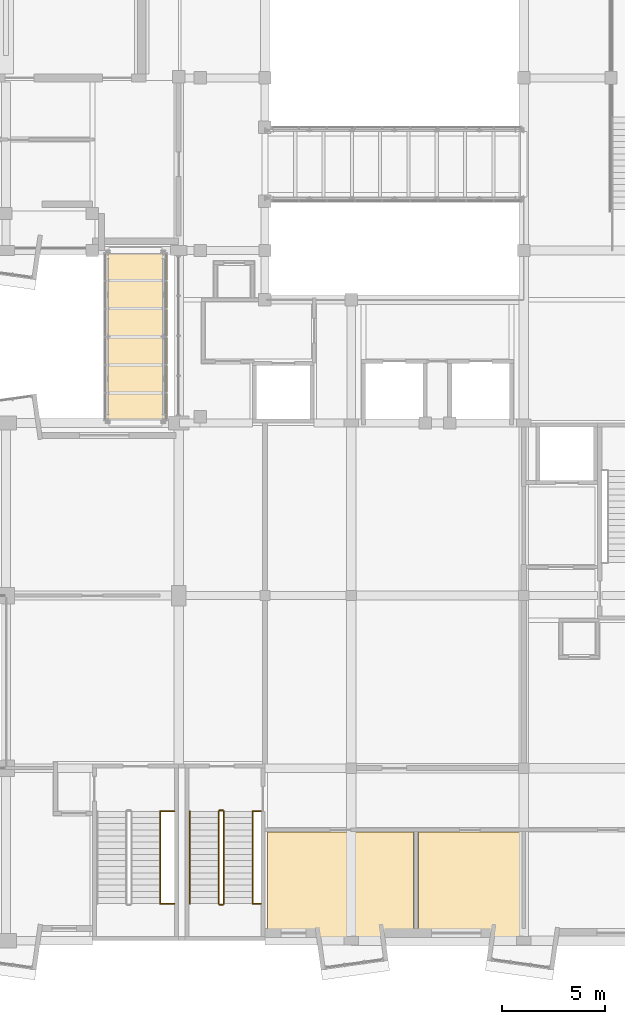
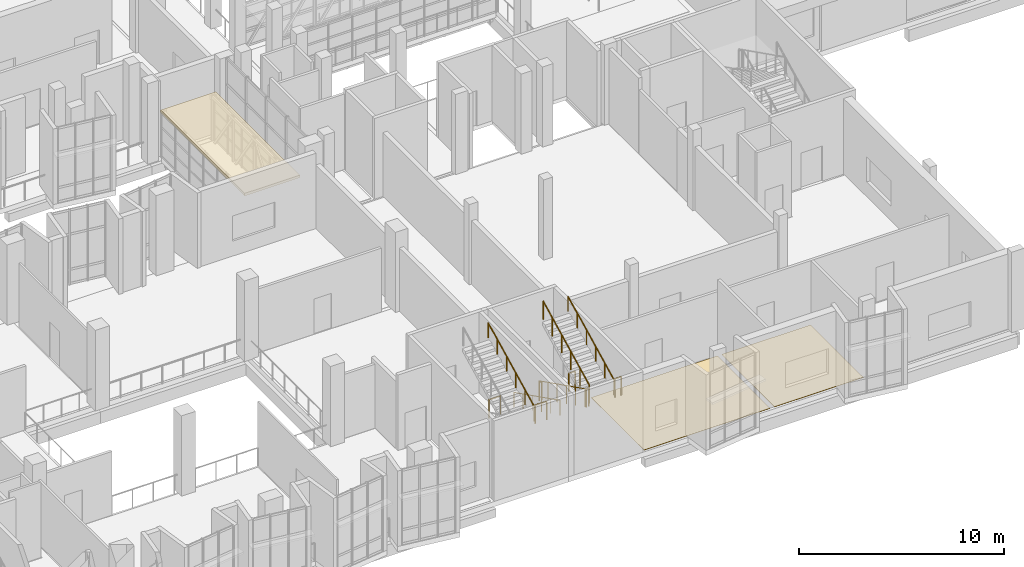
# One storey, part 69 of 86: 11 railings, 3 coverings.
"""IFC4 building model written with IfcOpenShell, lengths in metres."""

from ifc_helpers import new_model, si_unit, direction, frame, origin, origin_2d, place, context, subcontext, project, spatial, polyline, circle, outline, extrude, material, layer, layer_set, type_object, element, save


model = new_model("IFC4")

# Units and contexts
model_context = context("Model", 3, precision=1e-05, world=origin(), true_north=direction((0.0, 1.0)))
body_context = subcontext(model_context, "Body", "Model", "MODEL_VIEW")
ifc_project = project(units=[si_unit("LENGTHUNIT", "METRE"), si_unit("AREAUNIT", "SQUARE_METRE"), si_unit("VOLUMEUNIT", "CUBIC_METRE"), si_unit("PLANEANGLEUNIT", "RADIAN"), si_unit("MASSUNIT", "GRAM", prefix="KILO")], contexts=[model_context])

# Site, building, storey
site_placement = place(None, origin())
site = spatial("IfcSite", under=ifc_project, at=site_placement, CompositionType="ELEMENT")
building_placement = place(site_placement, origin())
building = spatial("IfcBuilding", under=site, at=building_placement, Name="Kiln Court Media Centre", CompositionType="ELEMENT")
storey_placement = place(building_placement, frame((0.0, 0.0, 10.199951171875)))
storey = spatial("IfcBuildingStorey", under=building, at=storey_placement, Name="L02", CompositionType="ELEMENT", Elevation=10.199951171875)

# Coverings
ifc_material_1 = material(Name="Carpet tile")
ifc_layer_1 = layer(ifc_material_1, 0.014892578125)
ifc_layer_set_1 = layer_set([ifc_layer_1], Name="Carpet tile floor finish 15")
covering_type_1 = type_object("IfcCoveringType", Name="Carpet tile floor finish 15", PredefinedType="FLOORING", material=ifc_layer_set_1)
covering_1_placement = place(storey_placement, origin())
element("IfcCovering", 1, at=covering_1_placement, inside=storey, type_object=covering_type_1, Name="Editing Suite 22 floor finish", PredefinedType="FLOORING", context=body_context, shape_type="SweptSolid", body=[
    extrude(outline(polyline([(37.919921875, 0.1201171875), (45.030029296875, 0.1201171875), (45.030029296875, 5.280029296875), (37.919921875, 5.280029296875), (37.919921875, 0.1201171875)])), origin(), (0.0, 0.0, 1.0), 0.01513671875),
])
covering_2_placement = place(storey_placement, origin())
element("IfcCovering", 2, at=covering_2_placement, inside=storey, type_object=covering_type_1, Name="Editing Suite 23 floor finish", PredefinedType="FLOORING", context=body_context, shape_type="SweptSolid", body=[
    extrude(outline(polyline([(45.27001953125, 0.1201171875), (50.280029296875, 0.1201171875), (50.280029296875, 5.280029296875), (45.27001953125, 5.280029296875), (45.27001953125, 0.1201171875)])), origin(), (0.0, 0.0, 1.0), 0.01513671875),
])
ifc_material_2 = material(Name="Steel ASTM A572 Gr 50 with insulated core", Category="steel")
ifc_layer_2 = layer(ifc_material_2, 0.14990234375)
ifc_layer_set_2 = layer_set([ifc_layer_2], Name="Insulated steel sandwich bridge roof 150")
covering_type_2 = type_object("IfcCoveringType", Name="Insulated steel sandwich bridge roof 150", PredefinedType="ROOFING", material=ifc_layer_set_2)
covering_3_placement = place(storey_placement, frame((0.0, 0.0, 2.675048828125)))
element("IfcCovering", 3, at=covering_3_placement, inside=storey, type_object=covering_type_2, Name="BR-1 roof", PredefinedType="ROOFING", context=body_context, shape_type="SweptSolid", body=[
    extrude(outline(polyline([(29.945068359375, 25.300048828125), (33.054931640625, 25.300048828125), (33.054931640625, 33.5), (29.945068359375, 33.5), (29.945068359375, 25.300048828125)])), origin(), (0.0, 0.0, 1.0), 0.14990234375),
])

# Railings
ifc_material_3 = material(Name="Steel S275", Category="steel")
railing_type_1 = type_object("IfcRailingType", Name="Steel S275 stair guard 1100", PredefinedType="GUARDRAIL", material=ifc_material_3)
for number, where, name in (
    (4, (32.75, 1.800048828125, 2.400146484375), "ST-03 landing edge guard"),
    (5, (32.75, 6.300048828125, 0.0), "ST-03 landing edge guard"),
):
    element("IfcRailing", number, at=place(storey_placement, frame(where)), inside=storey, type_object=railing_type_1, Name=name, PredefinedType="GUARDRAIL", context=body_context, shape_type="SweptSolid", body=[
        extrude(circle(Radius=0.02392578125, at=origin_2d()), frame((0.0, 0.0, 1.076171875), z_axis=(1.0, 0.0, 0.0), x_axis=(0.0, 1.0, 0.0)), (0.0, 0.0, 1.0), 0.64990234375),
        extrude(circle(Radius=0.02099609375, at=origin_2d()), origin(), (0.0, 0.0, 1.0), 1.052001953125),
        extrude(circle(Radius=0.02099609375, at=origin_2d()), frame((0.64990234375, 0.0, 0.0)), (0.0, 0.0, 1.0), 1.052001953125),
    ])
railing_1_placement = place(storey_placement, frame((35.550048828125, 6.300048828125, 0.150146484375)))
element("IfcRailing", 6, at=railing_1_placement, inside=storey, type_object=railing_type_1, Name="ST-04 stair guard", PredefinedType="GUARDRAIL", context=body_context, shape_type="SweptSolid", body=[
    extrude(circle(Radius=0.02392578125, at=origin_2d()), frame((0.0, 0.0, 1.076171875), z_axis=(0.0, -0.894427191, 0.4472135955), x_axis=(1.0, 0.0, 0.0)), (0.0, 0.0, 1.0), 5.03125),
    extrude(circle(Radius=0.02099609375, at=origin_2d()), origin(), (0.0, 0.0, 1.0), 1.052001953125),
    extrude(circle(Radius=0.02099609375, at=origin_2d()), frame((0.0, -0.89990234375, 0.449951171875)), (0.0, 0.0, 1.0), 1.052001953125),
    extrude(circle(Radius=0.02099609375, at=origin_2d()), frame((0.0, -1.800048828125, 0.89990234375)), (0.0, 0.0, 1.0), 1.052001953125),
    extrude(circle(Radius=0.02099609375, at=origin_2d()), frame((0.0, -2.699951171875, 1.35009765625)), (0.0, 0.0, 1.0), 1.052001953125),
    extrude(circle(Radius=0.02099609375, at=origin_2d()), frame((0.0, -3.60009765625, 1.800048828125)), (0.0, 0.0, 1.0), 1.052001953125),
    extrude(circle(Radius=0.02099609375, at=origin_2d()), frame((0.0, -4.5, 2.25)), (0.0, 0.0, 1.0), 1.052001953125),
])
railing_2_placement = place(storey_placement, frame((35.60009765625, 1.75, 2.400146484375)))
element("IfcRailing", 7, at=railing_2_placement, inside=storey, type_object=railing_type_1, Name="ST-04 stair guard", PredefinedType="GUARDRAIL", context=body_context, shape_type="SweptSolid", body=[
    extrude(circle(Radius=0.02392578125, at=origin_2d()), frame((0.0, 0.0, 1.076171875), z_axis=(1.0, 0.0, 0.0), x_axis=(0.0, 1.0, 0.0)), (0.0, 0.0, 1.0), 0.14990234375),
    extrude(circle(Radius=0.02099609375, at=origin_2d()), origin(), (0.0, 0.0, 1.0), 1.052001953125),
    extrude(circle(Radius=0.02099609375, at=origin_2d()), frame((0.14990234375, 0.0, 0.0)), (0.0, 0.0, 1.0), 1.052001953125),
])
railing_3_placement = place(storey_placement, frame((35.800048828125, 1.800048828125, 2.550048828125)))
element("IfcRailing", 8, at=railing_3_placement, inside=storey, type_object=railing_type_1, Name="ST-04 stair guard", PredefinedType="GUARDRAIL", context=body_context, shape_type="SweptSolid", body=[
    extrude(circle(Radius=0.02392578125, at=origin_2d()), frame((0.0, 0.0, 1.076171875), z_axis=(0.0, 0.894427191, 0.4472135955), x_axis=(-1.0, 0.0, 0.0)), (0.0, 0.0, 1.0), 5.03125),
    extrude(circle(Radius=0.02099609375, at=origin_2d()), origin(), (0.0, 0.0, 1.0), 1.052001953125),
    extrude(circle(Radius=0.02099609375, at=origin_2d()), frame((0.0, 0.89990234375, 0.449951171875)), (0.0, 0.0, 1.0), 1.052001953125),
    extrude(circle(Radius=0.02099609375, at=origin_2d()), frame((0.0, 1.800048828125, 0.89990234375)), (0.0, 0.0, 1.0), 1.052001953125),
    extrude(circle(Radius=0.02099609375, at=origin_2d()), frame((0.0, 2.699951171875, 1.35009765625)), (0.0, 0.0, 1.0), 1.052001953125),
    extrude(circle(Radius=0.02099609375, at=origin_2d()), frame((0.0, 3.60009765625, 1.800048828125)), (0.0, 0.0, 1.0), 1.052001953125),
    extrude(circle(Radius=0.02099609375, at=origin_2d()), frame((0.0, 4.5, 2.25)), (0.0, 0.0, 1.0), 1.052001953125),
])
railing_4_placement = place(storey_placement, frame((35.60009765625, 6.35009765625, 0.0)))
element("IfcRailing", 9, at=railing_4_placement, inside=storey, type_object=railing_type_1, Name="ST-04 stair guard", PredefinedType="GUARDRAIL", context=body_context, shape_type="SweptSolid", body=[
    extrude(circle(Radius=0.02392578125, at=origin_2d()), frame((0.0, 0.0, 1.076171875), z_axis=(1.0, 0.0, 0.0), x_axis=(0.0, 1.0, 0.0)), (0.0, 0.0, 1.0), 0.14990234375),
    extrude(circle(Radius=0.02099609375, at=origin_2d()), origin(), (0.0, 0.0, 1.0), 1.052001953125),
    extrude(circle(Radius=0.02099609375, at=origin_2d()), frame((0.14990234375, 0.0, 0.0)), (0.0, 0.0, 1.0), 1.052001953125),
])
for number, where, name in (
    (10, (37.25, 1.800048828125, 2.400146484375), "ST-04 landing edge guard"),
    (11, (37.25, 6.300048828125, 0.0), "ST-04 landing edge guard"),
):
    element("IfcRailing", number, at=place(storey_placement, frame(where)), inside=storey, type_object=railing_type_1, Name=name, PredefinedType="GUARDRAIL", context=body_context, shape_type="SweptSolid", body=[
        extrude(circle(Radius=0.02392578125, at=origin_2d()), frame((0.0, 0.0, 1.076171875), z_axis=(1.0, 0.0, 0.0), x_axis=(0.0, 1.0, 0.0)), (0.0, 0.0, 1.0), 0.35009765625),
        extrude(circle(Radius=0.02099609375, at=origin_2d()), origin(), (0.0, 0.0, 1.0), 1.052001953125),
        extrude(circle(Radius=0.02099609375, at=origin_2d()), frame((0.35009765625, 0.0, 0.0)), (0.0, 0.0, 1.0), 1.052001953125),
    ])
ifc_material_4 = material(Name="Steel S275", Category="steel")
railing_type_2 = type_object("IfcRailingType", Name="Steel S275 stair handrail 900", PredefinedType="HANDRAIL", material=ifc_material_4)
railing_5_placement = place(storey_placement, frame((32.699951171875, 1.800048828125, 2.550048828125)))
element("IfcRailing", 12, at=railing_5_placement, inside=storey, type_object=railing_type_2, Name="ST-03 stair handrail", PredefinedType="HANDRAIL", context=body_context, shape_type="SweptSolid", body=[
    extrude(circle(Radius=0.02392578125, at=origin_2d()), frame((0.0, 0.0, 0.8759765625), z_axis=(0.0, 0.894427191, 0.4472135955), x_axis=(-1.0, 0.0, 0.0)), (0.0, 0.0, 1.0), 5.03125),
    extrude(circle(Radius=0.02099609375, at=origin_2d()), origin(), (0.0, 0.0, 1.0), 0.851806640625),
    extrude(circle(Radius=0.02099609375, at=origin_2d()), frame((0.0, 0.89990234375, 0.449951171875)), (0.0, 0.0, 1.0), 0.851806640625),
    extrude(circle(Radius=0.02099609375, at=origin_2d()), frame((0.0, 1.800048828125, 0.89990234375)), (0.0, 0.0, 1.0), 0.851806640625),
    extrude(circle(Radius=0.02099609375, at=origin_2d()), frame((0.0, 2.699951171875, 1.35009765625)), (0.0, 0.0, 1.0), 0.851806640625),
    extrude(circle(Radius=0.02099609375, at=origin_2d()), frame((0.0, 3.60009765625, 1.800048828125)), (0.0, 0.0, 1.0), 0.851806640625),
    extrude(circle(Radius=0.02099609375, at=origin_2d()), frame((0.0, 4.5, 2.25)), (0.0, 0.0, 1.0), 0.851806640625),
])
railing_6_placement = place(storey_placement, frame((34.14990234375, 6.300048828125, 0.150146484375)))
element("IfcRailing", 13, at=railing_6_placement, inside=storey, type_object=railing_type_2, Name="ST-04 stair handrail", PredefinedType="HANDRAIL", context=body_context, shape_type="SweptSolid", body=[
    extrude(circle(Radius=0.02392578125, at=origin_2d()), frame((0.0, 0.0, 0.8759765625), z_axis=(0.0, -0.894427191, 0.4472135955), x_axis=(1.0, 0.0, 0.0)), (0.0, 0.0, 1.0), 5.03125),
    extrude(circle(Radius=0.02099609375, at=origin_2d()), origin(), (0.0, 0.0, 1.0), 0.851806640625),
    extrude(circle(Radius=0.02099609375, at=origin_2d()), frame((0.0, -0.89990234375, 0.449951171875)), (0.0, 0.0, 1.0), 0.851806640625),
    extrude(circle(Radius=0.02099609375, at=origin_2d()), frame((0.0, -1.800048828125, 0.89990234375)), (0.0, 0.0, 1.0), 0.851806640625),
    extrude(circle(Radius=0.02099609375, at=origin_2d()), frame((0.0, -2.699951171875, 1.35009765625)), (0.0, 0.0, 1.0), 0.851806640625),
    extrude(circle(Radius=0.02099609375, at=origin_2d()), frame((0.0, -3.60009765625, 1.800048828125)), (0.0, 0.0, 1.0), 0.851806640625),
    extrude(circle(Radius=0.02099609375, at=origin_2d()), frame((0.0, -4.5, 2.25)), (0.0, 0.0, 1.0), 0.851806640625),
])
railing_7_placement = place(storey_placement, frame((37.199951171875, 1.800048828125, 2.550048828125)))
element("IfcRailing", 14, at=railing_7_placement, inside=storey, type_object=railing_type_2, Name="ST-04 stair handrail", PredefinedType="HANDRAIL", context=body_context, shape_type="SweptSolid", body=[
    extrude(circle(Radius=0.02392578125, at=origin_2d()), frame((0.0, 0.0, 0.8759765625), z_axis=(0.0, 0.894427191, 0.4472135955), x_axis=(-1.0, 0.0, 0.0)), (0.0, 0.0, 1.0), 5.03125),
    extrude(circle(Radius=0.02099609375, at=origin_2d()), origin(), (0.0, 0.0, 1.0), 0.851806640625),
    extrude(circle(Radius=0.02099609375, at=origin_2d()), frame((0.0, 0.89990234375, 0.449951171875)), (0.0, 0.0, 1.0), 0.851806640625),
    extrude(circle(Radius=0.02099609375, at=origin_2d()), frame((0.0, 1.800048828125, 0.89990234375)), (0.0, 0.0, 1.0), 0.851806640625),
    extrude(circle(Radius=0.02099609375, at=origin_2d()), frame((0.0, 2.699951171875, 1.35009765625)), (0.0, 0.0, 1.0), 0.851806640625),
    extrude(circle(Radius=0.02099609375, at=origin_2d()), frame((0.0, 3.60009765625, 1.800048828125)), (0.0, 0.0, 1.0), 0.851806640625),
    extrude(circle(Radius=0.02099609375, at=origin_2d()), frame((0.0, 4.5, 2.25)), (0.0, 0.0, 1.0), 0.851806640625),
])

save(model, "model.ifc")
